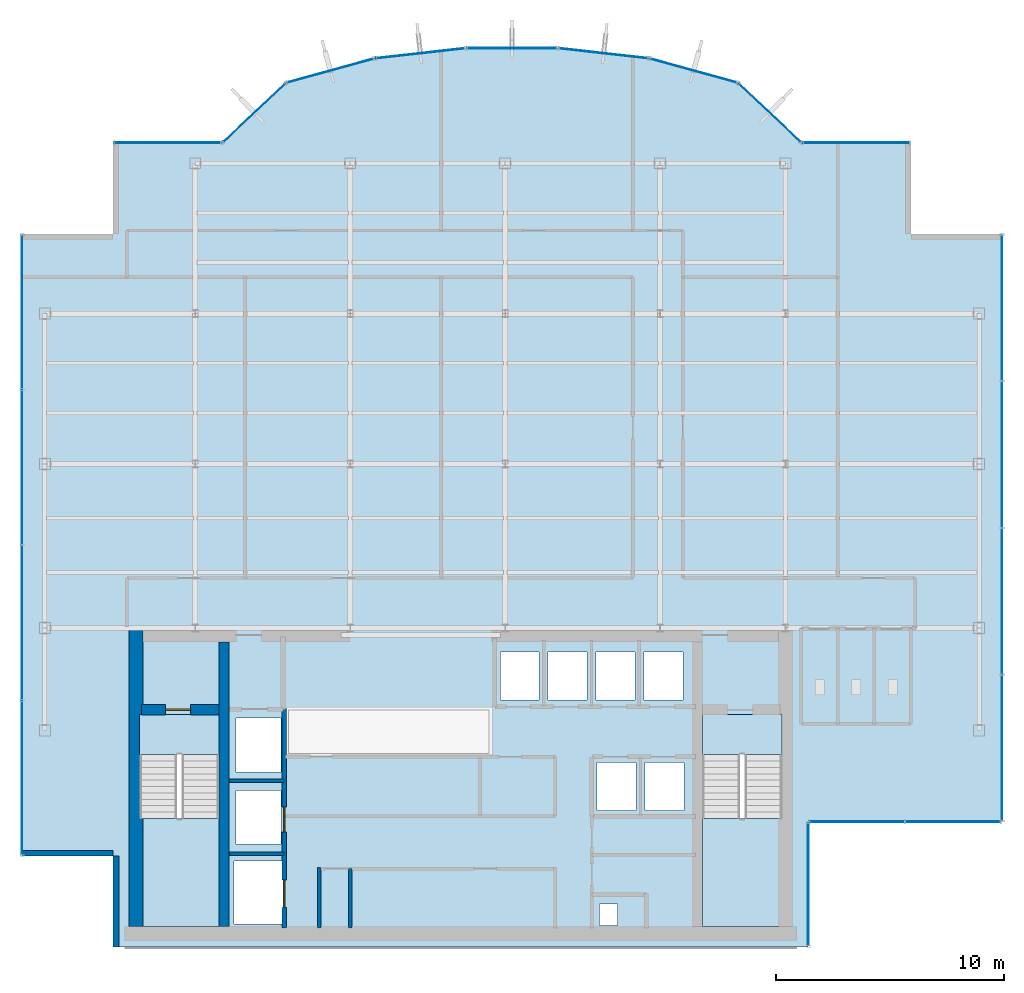
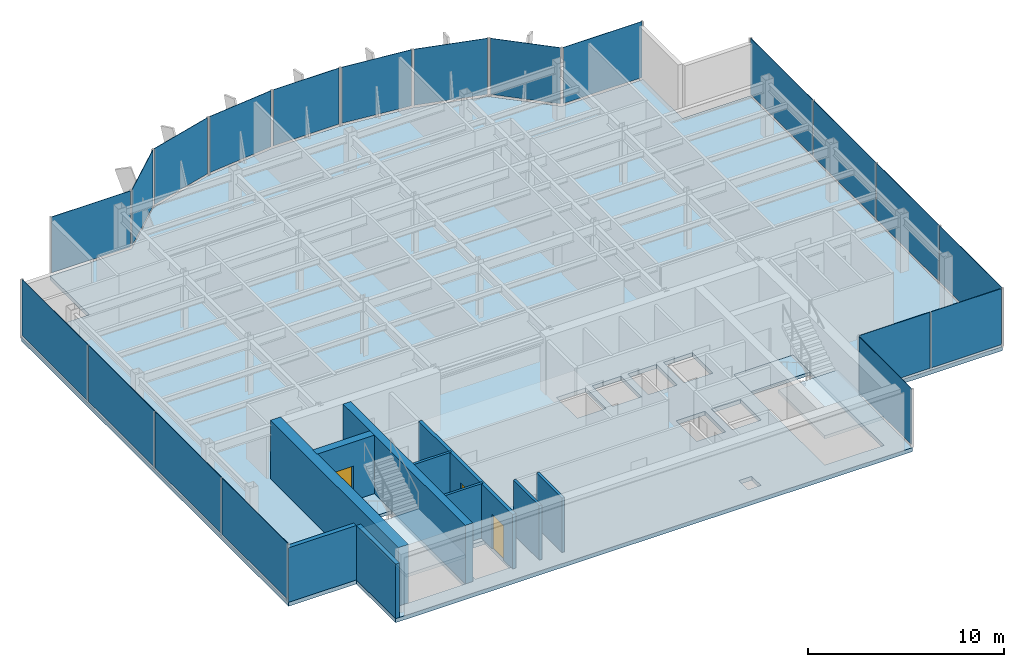
# One storey, part 16 of 22: 20 plates, 10 walls, 5 slabs, 3 doors, 3 openings, 15 elements without a shape of their own.
"""IFC4 building model written with IfcOpenShell, lengths in metres."""

import ifcopenshell
import ifcopenshell.guid

model = None  # the IFC model being written
_history = None  # IfcOwnerHistory: only IFC2X3 demands one
_inside = {}  # id of a spatial element -> (the spatial element, [elements in it])
_under = {}  # id of a project, library or spatial element -> (it, [spatial elements below it])
_declared = {}  # id of a project -> (the project, [libraries it declares])
_typed = {}  # id of a type object -> (the type object, [elements of that type])
_made_of = {}  # id of a material, layer set ... -> (it, [elements and type objects made of it])


def new_model(schema):
    """Start an empty IFC model of exactly this schema.

    Asked for "IFC4X3", IfcOpenShell would pick the latest addendum, in which some entities
    have other attributes; the version numbers below select the first issue.
    IFC2X3 requires an IfcOwnerHistory on every rooted entity: one is made here for all.
    """
    global model, _history
    if schema == "IFC4X3":
        model = ifcopenshell.file(schema_version=(4, 3, 0, 0))
    else:
        model = ifcopenshell.file(schema=schema)
    _inside.clear()
    _under.clear()
    _declared.clear()
    _typed.clear()
    _made_of.clear()
    _history = None
    if model.schema == "IFC2X3":
        org = make("IfcOrganization", Name="unknown")
        user = make(
            "IfcPersonAndOrganization",
            ThePerson=make("IfcPerson", FamilyName="unknown"),
            TheOrganization=org,
        )
        app = make(
            "IfcApplication",
            ApplicationDeveloper=org,
            Version="unknown",
            ApplicationFullName="unknown",
            ApplicationIdentifier="unknown",
        )
        _history = make(
            "IfcOwnerHistory",
            OwningUser=user,
            OwningApplication=app,
            ChangeAction="ADDED",
            CreationDate=0,
        )
    return model


def make(cls, **values):
    """One entity of the class cls with the attributes given. An attribute that is None is left unset."""
    return model.create_entity(
        cls, **{name: value for name, value in values.items() if value is not None}
    )


def rooted(cls, **values):
    """An entity with a GlobalId (a new one), such as an element, a storey or a relation."""
    return make(cls, GlobalId=ifcopenshell.guid.new(), OwnerHistory=_history, **values)


def si_unit(unit_type, name, prefix=None):
    """IfcSIUnit, for example si_unit("LENGTHUNIT", "METRE", prefix="MILLI")."""
    return make("IfcSIUnit", UnitType=unit_type, Prefix=prefix, Name=name)


def derived_unit(unit_type, elements):
    """IfcDerivedUnit: a product of units, each with its exponent."""
    return make(
        "IfcDerivedUnit",
        Elements=[
            make("IfcDerivedUnitElement", Unit=unit, Exponent=power)
            for unit, power in elements
        ],
        UnitType=unit_type,
    )


def assignment(units):
    """IfcUnitAssignment: the units of a project."""
    return None if units is None else make("IfcUnitAssignment", Units=units)


def point(xyz):
    """IfcCartesianPoint."""
    return None if xyz is None else make("IfcCartesianPoint", Coordinates=xyz)


def direction(xyz):
    """IfcDirection."""
    return None if xyz is None else make("IfcDirection", DirectionRatios=xyz)


def frame(location, z_axis=None, x_axis=None):
    """IfcAxis2Placement3D, a coordinate frame: its origin and axes. An axis left out is left unset."""
    return make(
        "IfcAxis2Placement3D",
        Location=point(location),
        Axis=direction(z_axis),
        RefDirection=direction(x_axis),
    )


def frame_2d(location, x_axis=None):
    """IfcAxis2Placement2D, a coordinate frame in the plane: its origin and x axis."""
    return make(
        "IfcAxis2Placement2D", Location=point(location), RefDirection=direction(x_axis)
    )


def origin():
    """The frame at (0, 0, 0) with its axes left unset."""
    return frame((0.0, 0.0, 0.0))


def origin_2d():
    """The frame at (0, 0) in the plane with its x axis left unset."""
    return frame_2d((0.0, 0.0))


def place(relative_to, where):
    """IfcLocalPlacement: puts the frame where relative to a parent placement (None: the world)."""
    return make(
        "IfcLocalPlacement", PlacementRelTo=relative_to, RelativePlacement=where
    )


def context(
    kind, dimensions, precision=None, world=None, true_north=None, identifier=None
):
    """IfcGeometricRepresentationContext, for example the 3D "Model" context."""
    return make(
        "IfcGeometricRepresentationContext",
        ContextIdentifier=identifier,
        ContextType=kind,
        CoordinateSpaceDimension=dimensions,
        Precision=precision,
        WorldCoordinateSystem=world,
        TrueNorth=true_north,
    )


def subcontext(parent, identifier, kind, view, scale=None):
    """IfcGeometricRepresentationSubContext, for example "Body" below "Model"."""
    return make(
        "IfcGeometricRepresentationSubContext",
        ContextIdentifier=identifier,
        ContextType=kind,
        ParentContext=parent,
        TargetScale=scale,
        TargetView=view,
    )


def project(units=None, contexts=None):
    """IfcProject with its units and contexts."""
    return rooted(
        "IfcProject",
        Name="project",
        RepresentationContexts=contexts,
        UnitsInContext=assignment(units),
    )


def spatial(cls, under=None, at=None, **own):
    """A site, building, storey or space (cls), placed at a placement, below another one or the project."""
    s = rooted(cls, ObjectPlacement=at, **own)
    if under is not None:
        _under.setdefault(under.id(), (under, []))[1].append(s)
    return s


def polyline(points):
    """IfcPolyline through the points."""
    return make("IfcPolyline", Points=[point(p) for p in points])


def profile(cls, at=None, kind="AREA", **sizes):
    """A parametric profile (cls). Its sizes go by their IFC names, for example OverallWidth=200.0."""
    return make(cls, ProfileType=kind, Position=at, **sizes)


def rectangle(**sizes):
    """IfcRectangleProfileDef."""
    return profile("IfcRectangleProfileDef", **sizes)


def outline(outer, holes=None, kind="AREA"):
    """IfcArbitraryClosedProfileDef: a profile drawn as a closed curve; with holes, ...WithVoids."""
    if holes is None:
        return make("IfcArbitraryClosedProfileDef", ProfileType=kind, OuterCurve=outer)
    return make(
        "IfcArbitraryProfileDefWithVoids",
        ProfileType=kind,
        OuterCurve=outer,
        InnerCurves=holes,
    )


def extrude(swept, where, along, depth):
    """IfcExtrudedAreaSolid: the profile swept, set in the frame where, extruded along a direction by depth."""
    return make(
        "IfcExtrudedAreaSolid",
        SweptArea=swept,
        Position=where,
        ExtrudedDirection=direction(along),
        Depth=depth,
    )


def shape(context_of_items, identifier, shape_type, items):
    """IfcShapeRepresentation: the items that make up one representation, for example the "Body"."""
    return make(
        "IfcShapeRepresentation",
        ContextOfItems=context_of_items,
        RepresentationIdentifier=identifier,
        RepresentationType=shape_type,
        Items=items,
    )


def source(mapping_origin, context_of_items, identifier, shape_type, items):
    """IfcRepresentationMap: a shape defined once, which mapped items show again and again."""
    return make(
        "IfcRepresentationMap",
        MappingOrigin=mapping_origin,
        MappedRepresentation=shape(context_of_items, identifier, shape_type, items),
    )


def transform(
    local_origin,
    x_axis=None,
    y_axis=None,
    z_axis=None,
    scale=None,
    scale2=None,
    scale3=None,
    uniform=True,
):
    """IfcCartesianTransformationOperator3D, or its non-uniform kind. x_axis, y_axis, z_axis: its Axis1, 2, 3."""
    if uniform:
        return make(
            "IfcCartesianTransformationOperator3D",
            Axis1=direction(x_axis),
            Axis2=direction(y_axis),
            LocalOrigin=point(local_origin),
            Scale=scale,
            Axis3=direction(z_axis),
        )
    return make(
        "IfcCartesianTransformationOperator3DnonUniform",
        Axis1=direction(x_axis),
        Axis2=direction(y_axis),
        LocalOrigin=point(local_origin),
        Scale=scale,
        Axis3=direction(z_axis),
        Scale2=scale2,
        Scale3=scale3,
    )


def mapped(mapping_source, mapping_target):
    """IfcMappedItem: shows the shape of a source again, moved by a transform."""
    return make(
        "IfcMappedItem", MappingSource=mapping_source, MappingTarget=mapping_target
    )


def material(Name=None, Category=None):
    """IfcMaterial."""
    return make("IfcMaterial", Name=Name, Category=Category)


def layer(
    of_material, thickness, ventilated=None, Name=None, Category=None, Priority=None
):
    """IfcMaterialLayer: one layer of a wall or slab, of a material (None: an air gap)."""
    return make(
        "IfcMaterialLayer",
        Material=of_material,
        LayerThickness=thickness,
        IsVentilated=ventilated,
        Name=Name,
        Category=Category,
        Priority=Priority,
    )


def layer_set(layers, Name=None):
    """IfcMaterialLayerSet."""
    return make("IfcMaterialLayerSet", MaterialLayers=layers, LayerSetName=Name)


def made_of(thing, what):
    """Note that an element or type object is made of a material, layer set ...; save() writes the relation."""
    if what is not None:
        _made_of.setdefault(what.id(), (what, []))[1].append(thing)
    return thing


def type_object(cls, material=None, **own):
    """A type object (cls), such as IfcWallType, which elements share."""
    return made_of(rooted(cls, **own), material)


def element(
    cls,
    number,
    at=None,
    inside=None,
    cuts=None,
    type_object=None,
    material=None,
    context=None,
    identifier="Body",
    shape_type=None,
    held_by="IfcProductDefinitionShape",
    body=None,
    shapes=None,
    **own,
):
    """One element of the class cls, such as IfcWall. Its Tag is "e" and its number.

    at: its placement. inside: the storey or other place that contains it. cuts: it is an
    opening in that element (IfcRelVoidsElement). A single representation is given by context,
    identifier, shape_type and body (its items); several are given by shapes. held_by: the class
    of the entity that holds the representations. save() writes the other relations.
    """
    e = rooted(cls, Tag="e%d" % number, ObjectPlacement=at, **own)
    if body is not None:
        shapes = [shape(context, identifier, shape_type, body)]
    if shapes is not None:
        e.Representation = make(held_by, Representations=shapes)
    if inside is not None:
        _inside.setdefault(inside.id(), (inside, []))[1].append(e)
    if cuts is not None:
        rooted(
            "IfcRelVoidsElement", RelatingBuildingElement=cuts, RelatedOpeningElement=e
        )
    if type_object is not None:
        _typed.setdefault(type_object.id(), (type_object, []))[1].append(e)
    return made_of(e, material)


def fill(opening, filler):
    """IfcRelFillsElement: the door or window that sits in an opening."""
    return rooted(
        "IfcRelFillsElement",
        RelatingOpeningElement=opening,
        RelatedBuildingElement=filler,
    )


def aggregate(whole, parts):
    """IfcRelAggregates: a whole, such as a stair, and the parts it consists of."""
    return rooted("IfcRelAggregates", RelatingObject=whole, RelatedObjects=parts)


def save(model, path):
    """Write the relations noted so far, then the file.

    IfcRelAggregates (storeys below a building ...), IfcRelContainedInSpatialStructure (elements
    in a storey), IfcRelDefinesByType, IfcRelAssociatesMaterial and IfcRelDeclares: one each for
    every whole, place, type object, material and project.
    """
    for whole, parts in _under.values():
        aggregate(whole, parts)
    for where, things in _inside.values():
        rooted(
            "IfcRelContainedInSpatialStructure",
            RelatedElements=things,
            RelatingStructure=where,
        )
    for kind, things in _typed.values():
        rooted("IfcRelDefinesByType", RelatedObjects=things, RelatingType=kind)
    for what, things in _made_of.values():
        rooted("IfcRelAssociatesMaterial", RelatedObjects=things, RelatingMaterial=what)
    for by, libraries in _declared.values():
        rooted("IfcRelDeclares", RelatingContext=by, RelatedDefinitions=libraries)
    model.write(path)


model = new_model("IFC4")

# Units and contexts
model_context = context("Model", 3, precision=1e-05, world=origin(), true_north=direction((0.0, 1.0)))
body_context = subcontext(model_context, "Body", "Model", "MODEL_VIEW")
ifc_project = project(units=[si_unit("LENGTHUNIT", "METRE"), si_unit("AREAUNIT", "SQUARE_METRE"), si_unit("VOLUMEUNIT", "CUBIC_METRE"), si_unit("PLANEANGLEUNIT", "RADIAN"), si_unit("MASSUNIT", "GRAM", prefix="KILO"), derived_unit("THERMALTRANSMITTANCEUNIT", [(si_unit("POWERUNIT", "WATT"), 1), (si_unit("LENGTHUNIT", "METRE"), -2), (si_unit("THERMODYNAMICTEMPERATUREUNIT", "KELVIN"), -1)])], contexts=[model_context])

# Site, building, storey
site_placement = place(None, origin())
site = spatial("IfcSite", under=ifc_project, at=site_placement, CompositionType="ELEMENT")
building_placement = place(site_placement, origin())
building = spatial("IfcBuilding", under=site, at=building_placement, Name="Skarnbrae Concourse Arena and Tower", CompositionType="ELEMENT")
storey_placement = place(building_placement, frame((0.0, 0.0, 225.10009765625)))
storey = spatial("IfcBuildingStorey", under=building, at=storey_placement, Name="L58", CompositionType="ELEMENT", Elevation=225.10009765625)

# Stair, slab
ifc_material_1 = material(Name="Concrete 40 MPa (C40/50)", Category="concrete")
stair_type = type_object("IfcStairType", Name="STAIR-DOGLEG-1650", PredefinedType="HALF_TURN_STAIR", material=ifc_material_1)
stair_1_placement = place(storey_placement, origin())
stair_1 = element("IfcStair", 1, at=stair_1_placement, inside=storey, type_object=stair_type, Name="L58 Protected Exit Stair ST-1", PredefinedType="HALF_TURN_STAIR")
ifc_layer_1 = layer(ifc_material_1, 0.199951171875)
ifc_layer_set_1 = layer_set([ifc_layer_1], Name="Concrete 40 MPa (C40/50)")
slab_type_1 = type_object("IfcSlabType", Name="SLAB-LANDING-200", PredefinedType="LANDING", material=ifc_layer_set_1)
slab_1_placement = place(storey_placement, frame((0.0, 0.0, 1.625)))
slab_1 = element("IfcSlab", 2, at=slab_1_placement, type_object=slab_type_1, Name="ST-1 landing 1", PredefinedType="LANDING", context=body_context, shape_type="SweptSolid", body=[
    extrude(outline(polyline([(5.14990234375, 5.64990234375), (5.14990234375, 0.89990234375), (8.64990234375, 0.89990234375), (8.64990234375, 5.64990234375), (5.14990234375, 5.64990234375)])), origin(), (0.0, 0.0, 1.0), 0.199951171875),
])
aggregate(stair_1, [slab_1])

stair_2_placement = place(storey_placement, origin())
stair_2 = element("IfcStair", 3, at=stair_2_placement, inside=storey, type_object=stair_type, Name="L58 Protected Exit Stair ST-2", PredefinedType="HALF_TURN_STAIR")
slab_2_placement = place(storey_placement, frame((0.0, 0.0, 1.625)))
slab_2 = element("IfcSlab", 4, at=slab_2_placement, type_object=slab_type_1, Name="ST-2 landing 1", PredefinedType="LANDING", context=body_context, shape_type="SweptSolid", body=[
    extrude(outline(polyline([(29.85009765625, 5.64990234375), (29.85009765625, 0.89990234375), (33.35009765625, 0.89990234375), (33.35009765625, 5.64990234375), (29.85009765625, 5.64990234375)])), origin(), (0.0, 0.0, 1.0), 0.199951171875),
])
aggregate(stair_2, [slab_2])

# Slabs
slab_3_placement = place(storey_placement, frame((0.0, 0.0, -0.2001953125)))
element("IfcSlab", 5, at=slab_3_placement, inside=storey, type_object=slab_type_1, Name="L58 Core stair ST1 floor landing", PredefinedType="LANDING", context=body_context, shape_type="SweptSolid", body=[
    extrude(outline(polyline([(5.14990234375, 10.199951171875), (5.14990234375, 8.449951171875), (8.64990234375, 8.449951171875), (8.64990234375, 10.199951171875), (5.14990234375, 10.199951171875)])), origin(), (0.0, 0.0, 1.0), 0.2001953125),
])
slab_4_placement = place(storey_placement, frame((0.0, 0.0, -0.2001953125)))
element("IfcSlab", 6, at=slab_4_placement, inside=storey, type_object=slab_type_1, Name="L58 Core stair ST2 floor landing", PredefinedType="LANDING", context=body_context, shape_type="SweptSolid", body=[
    extrude(outline(polyline([(29.85009765625, 10.199951171875), (29.85009765625, 8.449951171875), (33.35009765625, 8.449951171875), (33.35009765625, 10.199951171875), (29.85009765625, 10.199951171875)])), origin(), (0.0, 0.0, 1.0), 0.2001953125),
])
ifc_layer_2 = layer(ifc_material_1, 0.25)
ifc_layer_set_2 = layer_set([ifc_layer_2], Name="Concrete 40 MPa (C40/50)")
slab_type_2 = type_object("IfcSlabType", Name="SLAB-TOWER-250", PredefinedType="FLOOR", material=ifc_layer_set_2)
slab_5_placement = place(storey_placement, frame((0.0, 0.0, -0.25)))
element("IfcSlab", 7, at=slab_5_placement, inside=storey, type_object=slab_type_2, Name="L58 Structural floor slab", PredefinedType="FLOOR", context=body_context, shape_type="SweptSolid", body=[
    extrude(outline(polyline([(4.0, 0.0), (34.5, 0.0), (34.5, 5.5), (43.0, 5.5), (43.0, 31.300048828125), (39.0, 31.300048828125), (39.0, 35.300048828125), (34.199951171875, 35.300048828125), (31.40966796875, 37.9267578125), (27.52587890625, 38.9970703125), (23.51708984375, 39.44677734375), (19.48291015625, 39.44677734375), (15.47412109375, 38.9970703125), (11.59033203125, 37.9267578125), (8.800048828125, 35.300048828125), (4.0, 35.300048828125), (4.0, 31.300048828125), (0.0, 31.300048828125), (0.0, 4.0), (4.0, 4.0), (4.0, 0.0)]), holes=[polyline([(9.294921875, 1.02001953125), (9.294921875, 3.780029296875), (11.455078125, 3.780029296875), (11.455078125, 1.02001953125), (9.294921875, 1.02001953125)]), polyline([(8.64990234375, 10.199951171875), (8.64990234375, 0.89990234375), (5.14990234375, 0.89990234375), (5.14990234375, 10.199951171875), (8.64990234375, 10.199951171875)]), polyline([(9.39501953125, 6.8798828125), (11.35498046875, 6.8798828125), (11.35498046875, 4.52001953125), (9.39501953125, 4.52001953125), (9.39501953125, 6.8798828125)]), polyline([(9.39501953125, 7.695068359375), (9.39501953125, 10.054931640625), (11.35498046875, 10.054931640625), (11.35498046875, 7.695068359375), (9.39501953125, 7.695068359375)]), polyline([(20.985107421875, 12.955078125), (22.695068359375, 12.955078125), (22.695068359375, 10.844970703125), (20.985107421875, 10.844970703125), (20.985107421875, 12.955078125)]), polyline([(23.0849609375, 12.955078125), (24.794921875, 12.955078125), (24.794921875, 10.844970703125), (23.0849609375, 10.844970703125), (23.0849609375, 12.955078125)]), polyline([(25.35009765625, 0.949951171875), (25.35009765625, 1.889892578125), (26.1201171875, 1.889892578125), (26.1201171875, 0.949951171875), (25.35009765625, 0.949951171875)]), polyline([(33.35009765625, 10.199951171875), (33.35009765625, 0.89990234375), (29.85009765625, 0.89990234375), (29.85009765625, 10.199951171875), (33.35009765625, 10.199951171875)]), polyline([(25.235107421875, 8.10498046875), (26.945068359375, 8.10498046875), (26.945068359375, 5.9951171875), (25.235107421875, 5.9951171875), (25.235107421875, 8.10498046875)]), polyline([(27.3349609375, 5.9951171875), (27.3349609375, 8.10498046875), (29.044921875, 8.10498046875), (29.044921875, 5.9951171875), (27.3349609375, 5.9951171875)]), polyline([(25.18505859375, 12.955078125), (26.89501953125, 12.955078125), (26.89501953125, 10.844970703125), (25.18505859375, 10.844970703125), (25.18505859375, 12.955078125)]), polyline([(27.284912109375, 12.955078125), (28.9951171875, 12.955078125), (28.9951171875, 10.844970703125), (27.284912109375, 10.844970703125), (27.284912109375, 12.955078125)])]), origin(), (0.0, 0.0, 1.0), 0.25),
])

# Curtain wall, plate
ifc_material_2 = material(Name="Bronze anodised aluminium 6063-T6", Category="aluminium")
curtain_wall_type = type_object("IfcCurtainWallType", Name="CW-SYS-05-HIGHZONE", PredefinedType="USERDEFINED", material=ifc_material_2)
curtain_wall_1_placement = place(storey_placement, origin())
curtain_wall_1 = element("IfcCurtainWall", 8, at=curtain_wall_1_placement, inside=storey, type_object=curtain_wall_type, Name="L58 Unitised curtain wall CW-L58-E02", ObjectType="UNITISED CURTAIN WALL", PredefinedType="USERDEFINED")
ifc_material_3 = material(Name="Low-E triple insulating glass", Category="glass")
ifc_layer_3 = layer(ifc_material_3, 0.030029296875)
ifc_layer_set_3 = layer_set([ifc_layer_3], Name="Low-E triple insulating glass")
plate_type = type_object("IfcPlateType", Name="CWP-CW-05", PredefinedType="CURTAIN_PANEL", material=ifc_layer_set_3)
shared_shape_1 = source(origin(), body_context, "Body", "SweptSolid", [
    extrude(rectangle(XDim=5.35009765625, YDim=0.030029296875, at=origin_2d()), origin(), (0.0, 0.0, 1.0), 3.5),
])
plate_1_placement = place(storey_placement, frame((34.5, 2.75, 0.14990234375), z_axis=(0.0, 0.0, 1.0), x_axis=(0.0, 1.0, 0.0)))
plate_1 = element("IfcPlate", 9, at=plate_1_placement, type_object=plate_type, Name="CW-L58-E02 Low-E Glazing Panel 1", PredefinedType="CURTAIN_PANEL", context=body_context, shape_type="MappedRepresentation", body=[
    mapped(shared_shape_1, transform((0.0, 0.0, 0.0))),
])
aggregate(curtain_wall_1, [plate_1])

# Curtain wall, plates
curtain_wall_2_placement = place(storey_placement, origin())
curtain_wall_2 = element("IfcCurtainWall", 10, at=curtain_wall_2_placement, inside=storey, type_object=curtain_wall_type, Name="L58 Unitised curtain wall CW-L58-E03", ObjectType="UNITISED CURTAIN WALL", PredefinedType="USERDEFINED")
shared_shape_2 = source(origin(), body_context, "Body", "SweptSolid", [
    extrude(rectangle(XDim=4.137451171875, YDim=0.030029296875, at=origin_2d()), origin(), (0.0, 0.0, 1.0), 3.5),
])
plate_2_placement = place(storey_placement, frame((36.643798828125, 5.5, 0.14990234375), z_axis=(0.0, 0.0, 1.0), x_axis=(1.0, 0.0, 0.0)))
plate_2 = element("IfcPlate", 11, at=plate_2_placement, type_object=plate_type, Name="CW-L58-E03 Low-E Glazing Panel 1", PredefinedType="CURTAIN_PANEL", context=body_context, shape_type="MappedRepresentation", body=[
    mapped(shared_shape_2, transform((0.0, 0.0, 0.0))),
])
plate_3_placement = place(storey_placement, frame((40.856201171875, 5.5, 0.14990234375), z_axis=(0.0, 0.0, 1.0), x_axis=(1.0, 0.0, 0.0)))
plate_3 = element("IfcPlate", 12, at=plate_3_placement, type_object=plate_type, Name="CW-L58-E03 Low-E Glazing Panel 2", PredefinedType="CURTAIN_PANEL", context=body_context, shape_type="MappedRepresentation", body=[
    mapped(shared_shape_2, transform((0.0, 0.0, 0.0))),
])
aggregate(curtain_wall_2, [plate_2, plate_3])

# Curtain wall, plate
curtain_wall_3_placement = place(storey_placement, origin())
curtain_wall_3 = element("IfcCurtainWall", 13, at=curtain_wall_3_placement, inside=storey, type_object=curtain_wall_type, Name="L58 Unitised curtain wall CW-L58-E07", ObjectType="UNITISED CURTAIN WALL", PredefinedType="USERDEFINED")
shared_shape_3 = source(origin(), body_context, "Body", "SweptSolid", [
    extrude(rectangle(XDim=4.64990234375, YDim=0.030029296875, at=origin_2d()), origin(), (0.0, 0.0, 1.0), 3.5),
])
plate_4_placement = place(storey_placement, frame((36.60009765625, 35.300048828125, 0.14990234375), z_axis=(0.0, 0.0, 1.0), x_axis=(-1.0, 0.0, 0.0)))
plate_4 = element("IfcPlate", 14, at=plate_4_placement, type_object=plate_type, Name="CW-L58-E07 Low-E Glazing Panel 1", PredefinedType="CURTAIN_PANEL", context=body_context, shape_type="MappedRepresentation", body=[
    mapped(shared_shape_3, transform((0.0, 0.0, 0.0))),
])
aggregate(curtain_wall_3, [plate_4])

curtain_wall_4_placement = place(storey_placement, origin())
curtain_wall_4 = element("IfcCurtainWall", 15, at=curtain_wall_4_placement, inside=storey, type_object=curtain_wall_type, Name="L58 Unitised curtain wall CW-L58-E15", ObjectType="UNITISED CURTAIN WALL", PredefinedType="USERDEFINED")
plate_5_placement = place(storey_placement, frame((6.39990234375, 35.300048828125, 0.14990234375), z_axis=(0.0, 0.0, 1.0), x_axis=(-1.0, 0.0, 0.0)))
plate_5 = element("IfcPlate", 16, at=plate_5_placement, type_object=plate_type, Name="CW-L58-E15 Low-E Glazing Panel 1", PredefinedType="CURTAIN_PANEL", context=body_context, shape_type="MappedRepresentation", body=[
    mapped(shared_shape_3, transform((0.0, 0.0, 0.0))),
])
aggregate(curtain_wall_4, [plate_5])

curtain_wall_5_placement = place(storey_placement, origin())
curtain_wall_5 = element("IfcCurtainWall", 17, at=curtain_wall_5_placement, inside=storey, type_object=curtain_wall_type, Name="L58 Unitised curtain wall CW-L58-E08", ObjectType="UNITISED CURTAIN WALL", PredefinedType="USERDEFINED")
shared_shape_4 = source(origin(), body_context, "Body", "SweptSolid", [
    extrude(rectangle(XDim=3.68212890625, YDim=0.030029296875, at=origin_2d()), origin(), (0.0, 0.0, 1.0), 3.5),
])
plate_6_placement = place(storey_placement, frame((32.804931640625, 36.61328125, 0.14990234375), z_axis=(0.0, 0.0, 1.0), x_axis=(-0.728130555214, 0.685438468838, 0.0)))
plate_6 = element("IfcPlate", 18, at=plate_6_placement, type_object=plate_type, Name="CW-L58-E08 Low-E Glazing Panel 1", PredefinedType="CURTAIN_PANEL", context=body_context, shape_type="MappedRepresentation", body=[
    mapped(shared_shape_4, transform((0.0, 0.0, 0.0))),
])
aggregate(curtain_wall_5, [plate_6])

curtain_wall_6_placement = place(storey_placement, origin())
curtain_wall_6 = element("IfcCurtainWall", 19, at=curtain_wall_6_placement, inside=storey, type_object=curtain_wall_type, Name="L58 Unitised curtain wall CW-L58-E14", ObjectType="UNITISED CURTAIN WALL", PredefinedType="USERDEFINED")
plate_7_placement = place(storey_placement, frame((10.195068359375, 36.61328125, 0.14990234375), z_axis=(0.0, 0.0, 1.0), x_axis=(-0.728130555214, -0.685438468838, 0.0)))
plate_7 = element("IfcPlate", 20, at=plate_7_placement, type_object=plate_type, Name="CW-L58-E14 Low-E Glazing Panel 1", PredefinedType="CURTAIN_PANEL", context=body_context, shape_type="MappedRepresentation", body=[
    mapped(shared_shape_4, transform((0.0, 0.0, 0.0))),
])
aggregate(curtain_wall_6, [plate_7])

curtain_wall_7_placement = place(storey_placement, origin())
curtain_wall_7 = element("IfcCurtainWall", 21, at=curtain_wall_7_placement, inside=storey, type_object=curtain_wall_type, Name="L58 Unitised curtain wall CW-L58-E09", ObjectType="UNITISED CURTAIN WALL", PredefinedType="USERDEFINED")
shared_shape_5 = source(origin(), body_context, "Body", "SweptSolid", [
    extrude(rectangle(XDim=3.878662109375, YDim=0.030029296875, at=origin_2d()), origin(), (0.0, 0.0, 1.0), 3.5),
])
plate_8_placement = place(storey_placement, frame((29.4677734375, 38.4619140625, 0.14990234375), z_axis=(0.0, 0.0, 1.0), x_axis=(-0.964057388766, 0.265694093207, 0.0)))
plate_8 = element("IfcPlate", 22, at=plate_8_placement, type_object=plate_type, Name="CW-L58-E09 Low-E Glazing Panel 1", PredefinedType="CURTAIN_PANEL", context=body_context, shape_type="MappedRepresentation", body=[
    mapped(shared_shape_5, transform((0.0, 0.0, 0.0))),
])
aggregate(curtain_wall_7, [plate_8])

curtain_wall_8_placement = place(storey_placement, origin())
curtain_wall_8 = element("IfcCurtainWall", 23, at=curtain_wall_8_placement, inside=storey, type_object=curtain_wall_type, Name="L58 Unitised curtain wall CW-L58-E13", ObjectType="UNITISED CURTAIN WALL", PredefinedType="USERDEFINED")
plate_9_placement = place(storey_placement, frame((13.5322265625, 38.4619140625, 0.14990234375), z_axis=(0.0, 0.0, 1.0), x_axis=(-0.964057388766, -0.265694093207, 0.0)))
plate_9 = element("IfcPlate", 24, at=plate_9_placement, type_object=plate_type, Name="CW-L58-E13 Low-E Glazing Panel 1", PredefinedType="CURTAIN_PANEL", context=body_context, shape_type="MappedRepresentation", body=[
    mapped(shared_shape_5, transform((0.0, 0.0, 0.0))),
])
aggregate(curtain_wall_8, [plate_9])

curtain_wall_9_placement = place(storey_placement, origin())
curtain_wall_9 = element("IfcCurtainWall", 25, at=curtain_wall_9_placement, inside=storey, type_object=curtain_wall_type, Name="L58 Unitised curtain wall CW-L58-E10", ObjectType="UNITISED CURTAIN WALL", PredefinedType="USERDEFINED")
shared_shape_6 = source(origin(), body_context, "Body", "SweptSolid", [
    extrude(rectangle(XDim=3.8837890625, YDim=0.030029296875, at=origin_2d()), origin(), (0.0, 0.0, 1.0), 3.5),
])
plate_10_placement = place(storey_placement, frame((25.521484375, 39.221923828125, 0.14990234375), z_axis=(0.0, 0.0, 1.0), x_axis=(-0.993768891873, 0.111460259941, 0.0)))
plate_10 = element("IfcPlate", 26, at=plate_10_placement, type_object=plate_type, Name="CW-L58-E10 Low-E Glazing Panel 1", PredefinedType="CURTAIN_PANEL", context=body_context, shape_type="MappedRepresentation", body=[
    mapped(shared_shape_6, transform((0.0, 0.0, 0.0))),
])
aggregate(curtain_wall_9, [plate_10])

curtain_wall_10_placement = place(storey_placement, origin())
curtain_wall_10 = element("IfcCurtainWall", 27, at=curtain_wall_10_placement, inside=storey, type_object=curtain_wall_type, Name="L58 Unitised curtain wall CW-L58-E12", ObjectType="UNITISED CURTAIN WALL", PredefinedType="USERDEFINED")
plate_11_placement = place(storey_placement, frame((17.478515625, 39.221923828125, 0.14990234375), z_axis=(0.0, 0.0, 1.0), x_axis=(-0.993768891873, -0.111460259941, 0.0)))
plate_11 = element("IfcPlate", 28, at=plate_11_placement, type_object=plate_type, Name="CW-L58-E12 Low-E Glazing Panel 1", PredefinedType="CURTAIN_PANEL", context=body_context, shape_type="MappedRepresentation", body=[
    mapped(shared_shape_6, transform((0.0, 0.0, 0.0))),
])
aggregate(curtain_wall_10, [plate_11])

curtain_wall_11_placement = place(storey_placement, origin())
curtain_wall_11 = element("IfcCurtainWall", 29, at=curtain_wall_11_placement, inside=storey, type_object=curtain_wall_type, Name="L58 Unitised curtain wall CW-L58-E11", ObjectType="UNITISED CURTAIN WALL", PredefinedType="USERDEFINED")
shared_shape_7 = source(origin(), body_context, "Body", "SweptSolid", [
    extrude(rectangle(XDim=3.884521484375, YDim=0.030029296875, at=origin_2d()), origin(), (0.0, 0.0, 1.0), 3.5),
])
plate_12_placement = place(storey_placement, frame((21.5, 39.44677734375, 0.14990234375), z_axis=(0.0, 0.0, 1.0), x_axis=(-1.0, 0.0, 0.0)))
plate_12 = element("IfcPlate", 30, at=plate_12_placement, type_object=plate_type, Name="CW-L58-E11 Low-E Glazing Panel 1", PredefinedType="CURTAIN_PANEL", context=body_context, shape_type="MappedRepresentation", body=[
    mapped(shared_shape_7, transform((0.0, 0.0, 0.0))),
])
aggregate(curtain_wall_11, [plate_12])

# Curtain wall, plates
curtain_wall_12_placement = place(storey_placement, origin())
curtain_wall_12 = element("IfcCurtainWall", 31, at=curtain_wall_12_placement, inside=storey, type_object=curtain_wall_type, Name="L58 Unitised curtain wall CW-L58-E18", ObjectType="UNITISED CURTAIN WALL", PredefinedType="USERDEFINED")
shared_shape_8 = source(origin(), body_context, "Body", "SweptSolid", [
    extrude(rectangle(XDim=6.71240234375, YDim=0.030029296875, at=origin_2d()), origin(), (0.0, 0.0, 1.0), 3.5),
])
plate_13_placement = place(storey_placement, frame((0.0, 27.86865234375, 0.14990234375), z_axis=(0.0, 0.0, 1.0), x_axis=(0.0, -1.0, 0.0)))
plate_13 = element("IfcPlate", 32, at=plate_13_placement, type_object=plate_type, Name="CW-L58-E18 Low-E Glazing Panel 1", PredefinedType="CURTAIN_PANEL", context=body_context, shape_type="MappedRepresentation", body=[
    mapped(shared_shape_8, transform((0.0, 0.0, 0.0))),
])
plate_14_placement = place(storey_placement, frame((0.0, 7.431396484375, 0.14990234375), z_axis=(0.0, 0.0, 1.0), x_axis=(0.0, -1.0, 0.0)))
plate_14 = element("IfcPlate", 33, at=plate_14_placement, type_object=plate_type, Name="CW-L58-E18 Low-E Glazing Panel 4", PredefinedType="CURTAIN_PANEL", context=body_context, shape_type="MappedRepresentation", body=[
    mapped(shared_shape_8, transform((0.0, 0.0, 0.0))),
])
shared_shape_9 = source(origin(), body_context, "Body", "SweptSolid", [
    extrude(rectangle(XDim=6.75, YDim=0.030029296875, at=origin_2d()), origin(), (0.0, 0.0, 1.0), 3.5),
])
plate_15_placement = place(storey_placement, frame((0.0, 21.0625, 0.14990234375), z_axis=(0.0, 0.0, 1.0), x_axis=(0.0, -1.0, 0.0)))
plate_15 = element("IfcPlate", 34, at=plate_15_placement, type_object=plate_type, Name="CW-L58-E18 Low-E Glazing Panel 2", PredefinedType="CURTAIN_PANEL", context=body_context, shape_type="MappedRepresentation", body=[
    mapped(shared_shape_9, transform((0.0, 0.0, 0.0))),
])
plate_16_placement = place(storey_placement, frame((0.0, 14.237548828125, 0.14990234375), z_axis=(0.0, 0.0, 1.0), x_axis=(0.0, -1.0, 0.0)))
plate_16 = element("IfcPlate", 35, at=plate_16_placement, type_object=plate_type, Name="CW-L58-E18 Low-E Glazing Panel 3", PredefinedType="CURTAIN_PANEL", context=body_context, shape_type="MappedRepresentation", body=[
    mapped(shared_shape_9, transform((0.0, 0.0, 0.0))),
])
aggregate(curtain_wall_12, [plate_13, plate_15, plate_16, plate_14])

curtain_wall_13_placement = place(storey_placement, origin())
curtain_wall_13 = element("IfcCurtainWall", 36, at=curtain_wall_13_placement, inside=storey, type_object=curtain_wall_type, Name="L58 Unitised curtain wall CW-L58-E04", ObjectType="UNITISED CURTAIN WALL", PredefinedType="USERDEFINED")
shared_shape_10 = source(origin(), body_context, "Body", "SweptSolid", [
    extrude(rectangle(XDim=6.33740234375, YDim=0.030029296875, at=origin_2d()), origin(), (0.0, 0.0, 1.0), 3.5),
])
plate_17_placement = place(storey_placement, frame((43.0, 8.743896484375, 0.14990234375), z_axis=(0.0, 0.0, 1.0), x_axis=(0.0, 1.0, 0.0)))
plate_17 = element("IfcPlate", 37, at=plate_17_placement, type_object=plate_type, Name="CW-L58-E04 Low-E Glazing Panel 1", PredefinedType="CURTAIN_PANEL", context=body_context, shape_type="MappedRepresentation", body=[
    mapped(shared_shape_10, transform((0.0, 0.0, 0.0))),
])
plate_18_placement = place(storey_placement, frame((43.0, 28.05615234375, 0.14990234375), z_axis=(0.0, 0.0, 1.0), x_axis=(0.0, 1.0, 0.0)))
plate_18 = element("IfcPlate", 38, at=plate_18_placement, type_object=plate_type, Name="CW-L58-E04 Low-E Glazing Panel 4", PredefinedType="CURTAIN_PANEL", context=body_context, shape_type="MappedRepresentation", body=[
    mapped(shared_shape_10, transform((0.0, 0.0, 0.0))),
])
shared_shape_11 = source(origin(), body_context, "Body", "SweptSolid", [
    extrude(rectangle(XDim=6.375, YDim=0.030029296875, at=origin_2d()), origin(), (0.0, 0.0, 1.0), 3.5),
])
plate_19_placement = place(storey_placement, frame((43.0, 15.175048828125, 0.14990234375), z_axis=(0.0, 0.0, 1.0), x_axis=(0.0, 1.0, 0.0)))
plate_19 = element("IfcPlate", 39, at=plate_19_placement, type_object=plate_type, Name="CW-L58-E04 Low-E Glazing Panel 2", PredefinedType="CURTAIN_PANEL", context=body_context, shape_type="MappedRepresentation", body=[
    mapped(shared_shape_11, transform((0.0, 0.0, 0.0))),
])
plate_20_placement = place(storey_placement, frame((43.0, 21.625, 0.14990234375), z_axis=(0.0, 0.0, 1.0), x_axis=(0.0, 1.0, 0.0)))
plate_20 = element("IfcPlate", 40, at=plate_20_placement, type_object=plate_type, Name="CW-L58-E04 Low-E Glazing Panel 3", PredefinedType="CURTAIN_PANEL", context=body_context, shape_type="MappedRepresentation", body=[
    mapped(shared_shape_11, transform((0.0, 0.0, 0.0))),
])
aggregate(curtain_wall_13, [plate_17, plate_19, plate_20, plate_18])

# Wall, opening, door
ifc_material_4 = material(Name="Concrete 50 MPa (C50/60)", Category="concrete")
ifc_layer_4 = layer(ifc_material_4, 0.449951171875)
ifc_layer_set_4 = layer_set([ifc_layer_4], Name="Concrete 50 MPa (C50/60)")
wall_type_1 = type_object("IfcWallType", Name="WALL-CORE-450-C50", PredefinedType="SHEAR", material=ifc_layer_set_4)
shared_shape_12 = source(origin(), body_context, "Body", "SweptSolid", [
    extrude(rectangle(XDim=3.389892578125, YDim=0.449951171875, at=frame_2d((1.69482421875, 0.0))), origin(), (0.0, 0.0, 1.0), 3.64990234375),
])
wall_1_placement = place(storey_placement, frame((5.25, 10.419921875, 0.0), z_axis=(0.0, 0.0, 1.0), x_axis=(1.0, 0.0, 0.0)))
wall_1 = element("IfcWall", 41, at=wall_1_placement, inside=storey, type_object=wall_type_1, Name="L58 Rear core shear wall CW-ST1-N", PredefinedType="SHEAR", context=body_context, shape_type="MappedRepresentation", body=[
    mapped(shared_shape_12, transform((0.0, 0.0, 0.0))),
])
opening_1_placement = place(wall_1_placement, frame((1.050048828125, 0.0, 0.0)))
opening_1 = element("IfcOpeningElement", 42, at=opening_1_placement, cuts=wall_1, Name="Opening DT-03", PredefinedType="OPENING", context=body_context, shape_type="SweptSolid", body=[
    extrude(rectangle(XDim=1.10009765625, YDim=2.14990234375, at=frame_2d((0.550048828125, 1.074951171875))), frame((0.0, 0.23486328125, 0.0), z_axis=(0.0, -1.0, 0.0), x_axis=(1.0, 0.0, 0.0)), (0.0, 0.0, 1.0), 0.469970703125),
])
ifc_material_5 = material(Name="Steel CSA G40.21 350W", Category="steel")
door_type_1 = type_object("IfcDoorType", Name="DOOR-FIRE-1100-90M", OperationType="NOTDEFINED", PredefinedType="DOOR", material=ifc_material_5)
shared_shape_13 = source(origin(), body_context, "Body", "SweptSolid", [
    extrude(rectangle(XDim=1.10009765625, YDim=2.14990234375, at=frame_2d((0.550048828125, 1.074951171875))), frame((0.0, 0.02490234375, 0.0), z_axis=(0.0, -1.0, 0.0), x_axis=(1.0, 0.0, 0.0)), (0.0, 0.0, 1.0), 0.050048828125),
])
door_1_placement = place(opening_1_placement, frame((1.10009765625, 0.0, 0.0), z_axis=(0.0, 0.0, 1.0), x_axis=(-1.0, 0.0, 0.0)))
door_1 = element("IfcDoor", 43, at=door_1_placement, inside=storey, type_object=door_type_1, Name="D-1760 Stair ST-1 Door", OperationType="SINGLE_SWING_LEFT", OverallHeight=2.14990234375, OverallWidth=1.10009765625, PredefinedType="DOOR", context=body_context, shape_type="MappedRepresentation", body=[
    mapped(shared_shape_13, transform((0.0, 0.0, 0.0))),
])
fill(opening_1, door_1)

# Walls
ifc_layer_5 = layer(ifc_material_4, 0.60009765625)
ifc_layer_set_5 = layer_set([ifc_layer_5], Name="Concrete 50 MPa (C50/60)")
wall_type_2 = type_object("IfcWallType", Name="WALL-CORE-600-C50", PredefinedType="SHEAR", material=ifc_layer_set_5)
shared_shape_14 = source(origin(), body_context, "Body", "SweptSolid", [
    extrude(rectangle(XDim=13.10009765625, YDim=0.60009765625, at=frame_2d((6.550048828125, 0.0))), origin(), (0.0, 0.0, 1.0), 3.64990234375),
])
wall_2_placement = place(storey_placement, frame((5.0, 0.89990234375, 0.0), z_axis=(0.0, 0.0, 1.0), x_axis=(0.0, 1.0, 0.0)))
element("IfcWall", 44, at=wall_2_placement, inside=storey, type_object=wall_type_2, Name="L58 Rear core shear wall CW-W", PredefinedType="SHEAR", context=body_context, shape_type="MappedRepresentation", body=[
    mapped(shared_shape_14, transform((0.0, 0.0, 0.0))),
])
shared_shape_15 = source(origin(), body_context, "Body", "SweptSolid", [
    extrude(rectangle(XDim=12.5, YDim=0.449951171875, at=frame_2d((6.25, 0.0))), origin(), (0.0, 0.0, 1.0), 3.64990234375),
])
wall_3_placement = place(storey_placement, frame((8.864990234375, 0.89990234375, 0.0), z_axis=(0.0, 0.0, 1.0), x_axis=(0.0, 1.0, 0.0)))
element("IfcWall", 45, at=wall_3_placement, inside=storey, type_object=wall_type_1, Name="L58 Rear core shear wall CW-WEB-W", PredefinedType="SHEAR", context=body_context, shape_type="MappedRepresentation", body=[
    mapped(shared_shape_15, transform((0.0, 0.0, 0.0))),
])
ifc_material_6 = material(Name="Precast concrete 40 MPa (C40/50)", Category="concrete")
ifc_layer_6 = layer(ifc_material_6, 0.25)
ifc_layer_set_6 = layer_set([ifc_layer_6], Name="Precast concrete 40 MPa (C40/50)")
wall_type_3 = type_object("IfcWallType", Name="WALL-EXT-SPANDREL-250", PredefinedType="STANDARD", material=ifc_layer_set_6)
shared_shape_16 = source(origin(), body_context, "Body", "SweptSolid", [
    extrude(rectangle(XDim=4.0, YDim=0.25, at=frame_2d((2.0, 0.0))), origin(), (0.0, 0.0, 1.0), 3.39990234375),
])
for number, where, z_axis, x_axis, name in (
    (46, (0.0, 4.125, 0.0), (0.0, 0.0, 1.0), (1.0, 0.0, 0.0), "L58 Notched corner insulated return wall 19"),
    (47, (4.125, 4.0, 0.0), (0.0, 0.0, 1.0), (0.0, -1.0, 0.0), "L58 Notched corner insulated return wall 20"),
):
    element("IfcWall", number, at=place(storey_placement, frame(where, z_axis=z_axis, x_axis=x_axis)), inside=storey, type_object=wall_type_3, Name=name, PredefinedType="STANDARD", context=body_context, shape_type="MappedRepresentation", body=[
        mapped(shared_shape_16, transform((0.0, 0.0, 0.0))),
    ])

# Wall, openings, doors
ifc_material_7 = material(Name="Gypsum board on cold-formed steel studs", Category="steel")
ifc_layer_7 = layer(ifc_material_7, 0.199951171875)
ifc_layer_set_7 = layer_set([ifc_layer_7], Name="Gypsum board on cold-formed steel studs")
wall_type_4 = type_object("IfcWallType", Name="WALL-PART-200-2HR", PredefinedType="PARTITIONING", material=ifc_layer_set_7)
shared_shape_17 = source(origin(), body_context, "Body", "SweptSolid", [
    extrude(rectangle(XDim=9.599853515625, YDim=0.199951171875, at=frame_2d((4.7998046875, 0.0))), origin(), (0.0, 0.0, 1.0), 3.39990234375),
])
wall_4_placement = place(storey_placement, frame((11.5, 0.85009765625, 0.0), z_axis=(0.0, 0.0, 1.0), x_axis=(0.0, 1.0, 0.0)))
wall_4 = element("IfcWall", 48, at=wall_4_placement, inside=storey, type_object=wall_type_4, Name="L58 Interior partition wall W-L58-FL-E", PredefinedType="PARTITIONING", context=body_context, shape_type="MappedRepresentation", body=[
    mapped(shared_shape_17, transform((0.0, 0.0, 0.0))),
])
opening_2_placement = place(wall_4_placement, frame((4.199951171875, 0.0, 0.0)))
opening_2 = element("IfcOpeningElement", 49, at=opening_2_placement, cuts=wall_4, Name="Opening LD-01", PredefinedType="OPENING", context=body_context, shape_type="SweptSolid", body=[
    extrude(rectangle(XDim=1.10009765625, YDim=2.14990234375, at=frame_2d((0.550048828125, 1.074951171875))), frame((0.0, 0.10986328125, 0.0), z_axis=(0.0, -1.0, 0.0), x_axis=(1.0, 0.0, 0.0)), (0.0, 0.0, 1.0), 0.219970703125),
])
opening_3_placement = place(wall_4_placement, frame((0.89990234375, 0.0, 0.0)))
opening_3 = element("IfcOpeningElement", 50, at=opening_3_placement, cuts=wall_4, Name="Opening LD-02", PredefinedType="OPENING", context=body_context, shape_type="SweptSolid", body=[
    extrude(rectangle(XDim=1.199951171875, YDim=2.14990234375, at=frame_2d((0.60009765625, 1.074951171875))), frame((0.0, 0.10986328125, 0.0), z_axis=(0.0, -1.0, 0.0), x_axis=(1.0, 0.0, 0.0)), (0.0, 0.0, 1.0), 0.219970703125),
])
door_type_2 = type_object("IfcDoorType", Name="DOOR-LIFT-SLIDE-1100", OperationType="SLIDING_TO_LEFT", PredefinedType="DOOR", material=ifc_material_5)
door_2_placement = place(opening_2_placement, frame((1.10009765625, 0.0, 0.0), z_axis=(0.0, 0.0, 1.0), x_axis=(-1.0, 0.0, 0.0)))
door_2 = element("IfcDoor", 51, at=door_2_placement, inside=storey, type_object=door_type_2, Name="D-1765 Firefighting Lift Landing Door FL-02", OperationType="SLIDING_TO_LEFT", OverallHeight=2.14990234375, OverallWidth=1.10009765625, PredefinedType="DOOR", context=body_context, shape_type="MappedRepresentation", body=[
    mapped(shared_shape_13, transform((0.0, 0.0, 0.0))),
])
fill(opening_2, door_2)
door_type_3 = type_object("IfcDoorType", Name="DOOR-LIFT-SLIDE-1200", OperationType="SLIDING_TO_LEFT", PredefinedType="DOOR", material=ifc_material_5)
shared_shape_18 = source(origin(), body_context, "Body", "SweptSolid", [
    extrude(rectangle(XDim=1.199951171875, YDim=2.14990234375, at=frame_2d((0.60009765625, 1.074951171875))), frame((0.0, 0.02490234375, 0.0), z_axis=(0.0, -1.0, 0.0), x_axis=(1.0, 0.0, 0.0)), (0.0, 0.0, 1.0), 0.050048828125),
])
door_3_placement = place(opening_3_placement, frame((1.199951171875, 0.0, 0.0), z_axis=(0.0, 0.0, 1.0), x_axis=(-1.0, 0.0, 0.0)))
door_3 = element("IfcDoor", 52, at=door_3_placement, inside=storey, type_object=door_type_3, Name="D-1766 Service Lift Landing Door SV-01", OperationType="SLIDING_TO_LEFT", OverallHeight=2.14990234375, OverallWidth=1.199951171875, PredefinedType="DOOR", context=body_context, shape_type="MappedRepresentation", body=[
    mapped(shared_shape_18, transform((0.0, 0.0, 0.0))),
])
fill(opening_3, door_3)

# Walls
ifc_layer_8 = layer(ifc_material_7, 0.14990234375)
ifc_layer_set_8 = layer_set([ifc_layer_8], Name="Gypsum board on cold-formed steel studs")
wall_type_5 = type_object("IfcWallType", Name="WALL-PART-150", PredefinedType="PARTITIONING", material=ifc_layer_set_8)
shared_shape_19 = source(origin(), body_context, "Body", "SweptSolid", [
    extrude(rectangle(XDim=2.39990234375, YDim=0.14990234375, at=frame_2d((1.199951171875, 0.0))), origin(), (0.0, 0.0, 1.0), 3.39990234375),
])
for number, where, z_axis, x_axis, name in (
    (53, (9.10009765625, 4.10009765625, 0.0), (0.0, 0.0, 1.0), (1.0, 0.0, 0.0), "L58 Interior partition wall W-L58-FL-D1"),
    (54, (9.10009765625, 7.300048828125, 0.0), (0.0, 0.0, 1.0), (1.0, 0.0, 0.0), "L58 Interior partition wall W-L58-FL-D2"),
):
    element("IfcWall", number, at=place(storey_placement, frame(where, z_axis=z_axis, x_axis=x_axis)), inside=storey, type_object=wall_type_5, Name=name, PredefinedType="PARTITIONING", context=body_context, shape_type="MappedRepresentation", body=[
        mapped(shared_shape_19, transform((0.0, 0.0, 0.0))),
    ])
shared_shape_20 = source(origin(), body_context, "Body", "SweptSolid", [
    extrude(rectangle(XDim=2.599853515625, YDim=0.14990234375, at=frame_2d((1.2998046875, 0.0))), origin(), (0.0, 0.0, 1.0), 3.39990234375),
])
wall_5_placement = place(storey_placement, frame((14.39990234375, 0.85009765625, 0.0), z_axis=(0.0, 0.0, 1.0), x_axis=(0.0, 1.0, 0.0)))
element("IfcWall", 55, at=wall_5_placement, inside=storey, type_object=wall_type_5, Name="L58 Interior partition wall W-L58-B1M-C1", PredefinedType="PARTITIONING", context=body_context, shape_type="MappedRepresentation", body=[
    mapped(shared_shape_20, transform((0.0, 0.0, 0.0))),
])
ifc_layer_9 = layer(ifc_material_7, 0.14990234375)
ifc_layer_set_9 = layer_set([ifc_layer_9], Name="Gypsum board on cold-formed steel studs")
wall_type_6 = type_object("IfcWallType", Name="WALL-PART-150-1HR", PredefinedType="PARTITIONING", material=ifc_layer_set_9)
shared_shape_21 = source(origin(), body_context, "Body", "SweptSolid", [
    extrude(rectangle(XDim=2.64990234375, YDim=0.14990234375, at=frame_2d((1.324951171875, 0.0))), origin(), (0.0, 0.0, 1.0), 3.39990234375),
])
wall_6_placement = place(storey_placement, frame((13.050048828125, 0.85009765625, 0.0), z_axis=(0.0, 0.0, 1.0), x_axis=(0.0, 1.0, 0.0)))
element("IfcWall", 56, at=wall_6_placement, inside=storey, type_object=wall_type_6, Name="L58 Interior partition wall W-L58-B1M-W", PredefinedType="PARTITIONING", context=body_context, shape_type="MappedRepresentation", body=[
    mapped(shared_shape_21, transform((0.0, 0.0, 0.0))),
])

save(model, "model.ifc")
